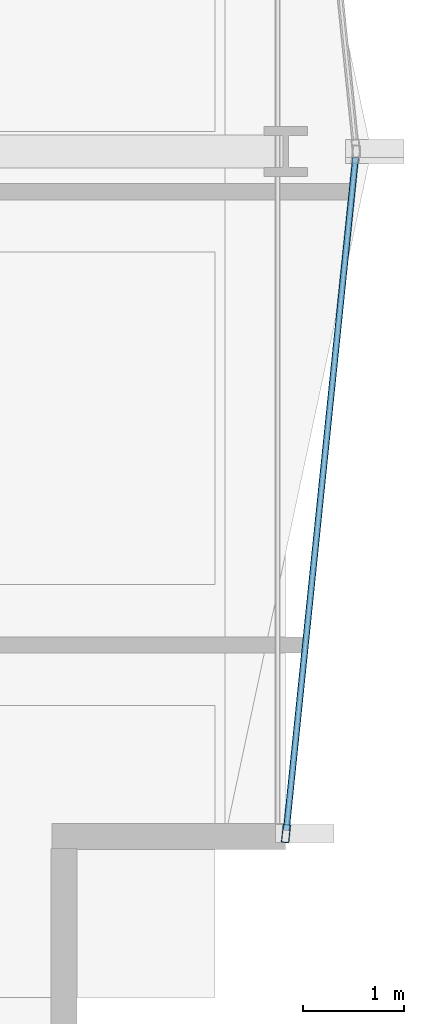
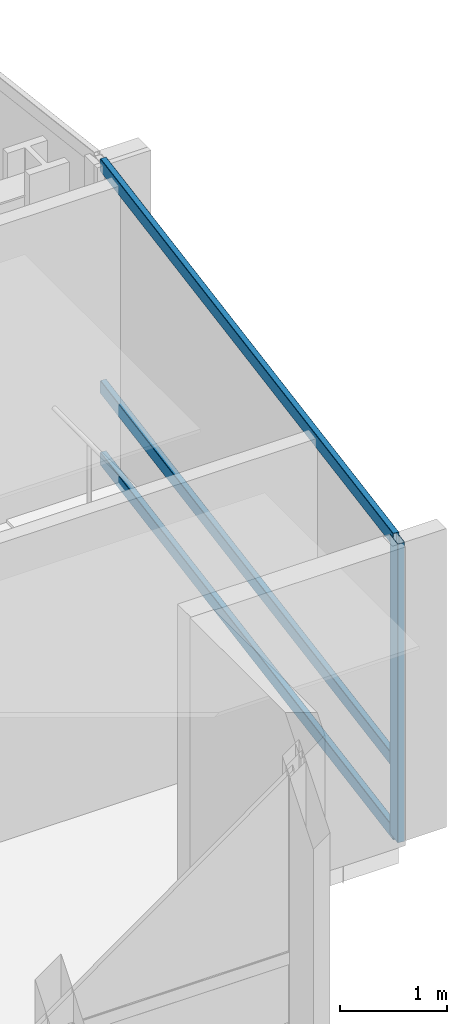
# One storey, part 13 of 34: 4 members, 1 element without a shape of its own.
"""IFC4 building model written with IfcOpenShell, lengths in metres."""

from ifc_helpers import new_model, si_unit, direction, frame, origin, origin_2d, place, context, subcontext, project, spatial, hollow_rectangle, extrude, material, layer, layer_set, material_profile, profile_set, type_object, element, aggregate, save


model = new_model("IFC4")

# Units and contexts
model_context = context("Model", 3, precision=1e-05, world=origin(), true_north=direction((0.0, 1.0)))
body_context = subcontext(model_context, "Body", "Model", "MODEL_VIEW")
ifc_project = project(units=[si_unit("LENGTHUNIT", "METRE"), si_unit("AREAUNIT", "SQUARE_METRE"), si_unit("VOLUMEUNIT", "CUBIC_METRE"), si_unit("PLANEANGLEUNIT", "RADIAN"), si_unit("MASSUNIT", "GRAM", prefix="KILO")], contexts=[model_context])

# Site, building, storey
site_placement = place(None, origin())
site = spatial("IfcSite", under=ifc_project, at=site_placement, CompositionType="ELEMENT")
building_placement = place(site_placement, origin())
building = spatial("IfcBuilding", under=site, at=building_placement, Name="Solvaryn Broadcast Tower", CompositionType="ELEMENT")
storey_placement = place(building_placement, frame((0.0, 0.0, 47.10009765625)))
storey = spatial("IfcBuildingStorey", under=building, at=storey_placement, Name="L10", CompositionType="ELEMENT", Elevation=47.10009765625)

# Curtain wall, members
ifc_material_1 = material(Name="Aluminium and Terracotta Unitised Curtain Wall", Category="masonry")
ifc_layer = layer(ifc_material_1, 0.199951171875)
ifc_layer_set = layer_set([ifc_layer], Name="CW-SYS2-LOWMID")
curtain_wall_type = type_object("IfcCurtainWallType", Name="CW-SYS2-LOWMID", PredefinedType="NOTDEFINED", material=ifc_layer_set)
curtain_wall_placement = place(storey_placement, origin())
curtain_wall = element("IfcCurtainWall", 1, at=curtain_wall_placement, inside=storey, type_object=curtain_wall_type, Name="L10 Curtain Wall ET2", PredefinedType="NOTDEFINED")
ifc_material_2 = material(Name="Anodised Aluminium 6063-T6", Category="aluminium")
ifc_material_profile_1 = material_profile(ifc_material_2, hollow_rectangle(XDim=0.074951171875, YDim=0.179931640625, WallThickness=0.00390625, InnerFilletRadius=0.00390625, OuterFilletRadius=0.008056640625, at=origin_2d()))
ifc_profile_set_1 = profile_set([ifc_material_profile_1], Name="Anodised Aluminium 6063-T6")
member_type_1 = type_object("IfcMemberType", Name="CW-MUL-180", PredefinedType="MULLION", material=ifc_profile_set_1)
member_1_placement = place(storey_placement, frame((63.003173828125, 11.229736328125, 0.0), z_axis=(0.0, 0.0, 1.0), x_axis=(0.99474329889, -0.10240004548, 0.0)))
member_1 = element("IfcMember", 2, at=member_1_placement, type_object=member_type_1, Name="CWS2 mullion 2", PredefinedType="MULLION", context=body_context, shape_type="SweptSolid", body=[
    extrude(hollow_rectangle(XDim=0.074951171875, YDim=0.179931640625, WallThickness=0.00390625, InnerFilletRadius=0.00390625, OuterFilletRadius=0.008056640625, at=origin_2d()), origin(), (0.0, 0.0, 1.0), 3.419921875),
])
ifc_material_3 = material(Name="Anodised Aluminium 6063-T6", Category="aluminium")
ifc_material_profile_2 = material_profile(ifc_material_3, hollow_rectangle(XDim=0.06494140625, YDim=0.14990234375, WallThickness=0.00390625, InnerFilletRadius=0.00390625, OuterFilletRadius=0.008056640625, at=origin_2d()))
ifc_profile_set_2 = profile_set([ifc_material_profile_2], Name="Anodised Aluminium 6063-T6")
member_type_2 = type_object("IfcMemberType", Name="CW-TRN-150", PredefinedType="USERDEFINED", material=ifc_profile_set_2)
member_2_placement = place(storey_placement, frame((63.69384765625, 17.9404296875, 0.02978515625), z_axis=(-0.102404277363, -0.994742863245, 0.0), x_axis=(0.994742863245, -0.102404277363, 0.0)))
member_2 = element("IfcMember", 3, at=member_2_placement, type_object=member_type_2, Name="CWS2 transom 1.1", ObjectType="TRANSOM", PredefinedType="USERDEFINED", context=body_context, shape_type="SweptSolid", body=[
    extrude(hollow_rectangle(XDim=0.06494140625, YDim=0.14990234375, WallThickness=0.00390625, InnerFilletRadius=0.00390625, OuterFilletRadius=0.008056640625, at=origin_2d()), origin(), (0.0, 0.0, 1.0), 6.716064453125),
])
member_3_placement = place(storey_placement, frame((63.69384765625, 17.9404296875, 0.849853515625), z_axis=(-0.102404277363, -0.994742863245, 0.0), x_axis=(0.994742863245, -0.102404277363, 0.0)))
member_3 = element("IfcMember", 4, at=member_3_placement, type_object=member_type_2, Name="CWS2 transom 1.2", ObjectType="TRANSOM", PredefinedType="USERDEFINED", context=body_context, shape_type="SweptSolid", body=[
    extrude(hollow_rectangle(XDim=0.06494140625, YDim=0.14990234375, WallThickness=0.00390625, InnerFilletRadius=0.00390625, OuterFilletRadius=0.008056640625, at=origin_2d()), origin(), (0.0, 0.0, 1.0), 6.716064453125),
])
member_4_placement = place(storey_placement, frame((63.69384765625, 17.9404296875, 3.389892578125), z_axis=(-0.102404277363, -0.994742863245, 0.0), x_axis=(0.994742863245, -0.102404277363, 0.0)))
member_4 = element("IfcMember", 5, at=member_4_placement, type_object=member_type_2, Name="CWS2 transom 1.3", ObjectType="TRANSOM", PredefinedType="USERDEFINED", context=body_context, shape_type="SweptSolid", body=[
    extrude(hollow_rectangle(XDim=0.06494140625, YDim=0.14990234375, WallThickness=0.00390625, InnerFilletRadius=0.00390625, OuterFilletRadius=0.008056640625, at=origin_2d()), origin(), (0.0, 0.0, 1.0), 6.716064453125),
])
aggregate(curtain_wall, [member_1, member_2, member_3, member_4])

save(model, "model.ifc")
